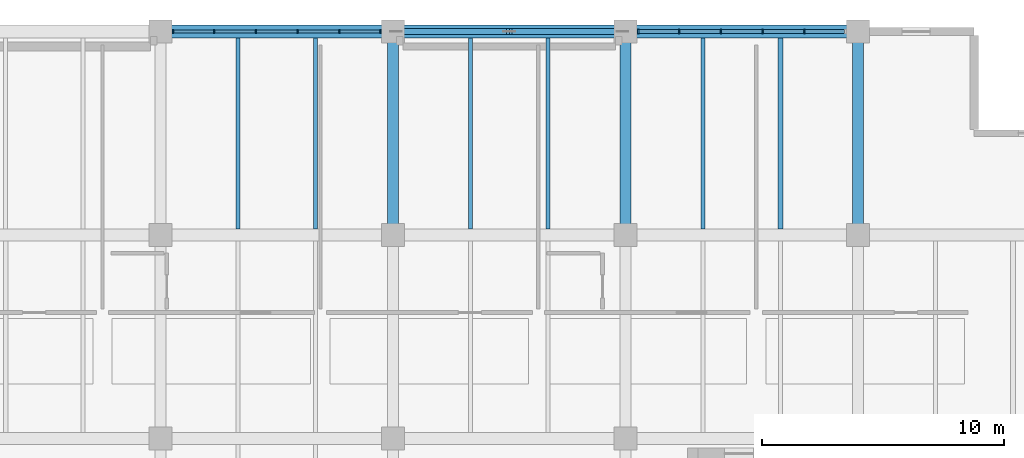
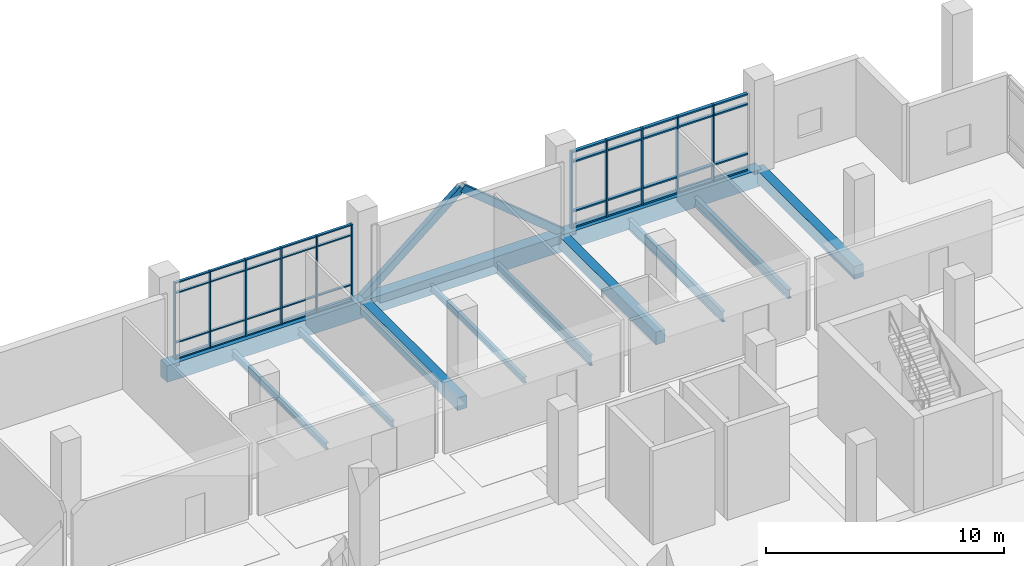
# One storey, part 83 of 152: 53 members, 12 beams, 2 elements without a shape of their own.
"""IFC4 building model written with IfcOpenShell, lengths in metres."""

from ifc_helpers import new_model, si_unit, direction, frame, origin, origin_2d, place, context, subcontext, project, spatial, rectangle, hollow_rectangle, i_section, extrude, material, material_profile, profile_set, type_object, element, aggregate, save


model = new_model("IFC4")

# Units and contexts
model_context = context("Model", 3, precision=1e-05, world=origin(), true_north=direction((0.0, 1.0)))
body_context = subcontext(model_context, "Body", "Model", "MODEL_VIEW")
ifc_project = project(units=[si_unit("LENGTHUNIT", "METRE"), si_unit("AREAUNIT", "SQUARE_METRE"), si_unit("VOLUMEUNIT", "CUBIC_METRE"), si_unit("PLANEANGLEUNIT", "RADIAN"), si_unit("MASSUNIT", "GRAM", prefix="KILO")], contexts=[model_context])

# Site, building, storey
site_placement = place(None, origin())
site = spatial("IfcSite", under=ifc_project, at=site_placement, CompositionType="ELEMENT")
building_placement = place(site_placement, origin())
building = spatial("IfcBuilding", under=site, at=building_placement, Name="Oolite Switchyard Hospital", CompositionType="ELEMENT")
storey_placement = place(building_placement, frame((0.0, 0.0, 5.10009765625)))
storey = spatial("IfcBuildingStorey", under=building, at=storey_placement, Name="L01", CompositionType="ELEMENT", Elevation=5.10009765625)

# Beams
ifc_material_1 = material(Name="Concrete C40/50", Category="concrete")
ifc_material_profile_1 = material_profile(ifc_material_1, rectangle(XDim=0.449951171875, YDim=0.64990234375, at=origin_2d()), Name="RCB450X650")
ifc_profile_set_1 = profile_set([ifc_material_profile_1], Name="Concrete C40/50")
beam_type_1 = type_object("IfcBeamType", Name="BM-RC450X650", PredefinedType="BEAM", material=ifc_profile_set_1)
for number, where, z_axis, x_axis, name in (
    (1, (182.39990234375, 126.0, -0.3251953125), (0.0, 1.0, 0.0), (-1.0, 0.0, 0.0), "L01 Y-Girder 522"),
    (2, (192.0, 126.0, -0.3251953125), (0.0, 1.0, 0.0), (-1.0, 0.0, 0.0), "L01 Y-Girder 534"),
    (3, (201.60009765625, 126.0, -0.3251953125), (0.0, 1.0, 0.0), (-1.0, 0.0, 0.0), "L01 Y-Girder 546"),
):
    element("IfcBeam", number, at=place(storey_placement, frame(where, z_axis=z_axis, x_axis=x_axis)), inside=storey, type_object=beam_type_1, Name=name, PredefinedType="BEAM", context=body_context, shape_type="SweptSolid", body=[
        extrude(rectangle(XDim=0.449951171875, YDim=0.64990234375, at=origin_2d()), origin(), (0.0, 0.0, 1.0), 8.39990234375),
    ])
ifc_material_profile_2 = material_profile(ifc_material_1, rectangle(XDim=0.550048828125, YDim=0.85009765625, at=origin_2d()), Name="RCB550X850")
ifc_profile_set_2 = profile_set([ifc_material_profile_2], Name="Concrete C40/50")
beam_type_2 = type_object("IfcBeamType", Name="BM-RC550X850", PredefinedType="BEAM", material=ifc_profile_set_2)
beam_1_placement = place(storey_placement, frame((172.800048828125, 134.39990234375, -0.425048828125), z_axis=(1.0, 0.0, 0.0), x_axis=(0.0, 1.0, 0.0)))
element("IfcBeam", 4, at=beam_1_placement, inside=storey, type_object=beam_type_2, Name="L01 X-Girder 282", PredefinedType="BEAM", context=body_context, shape_type="SweptSolid", body=[
    extrude(rectangle(XDim=0.550048828125, YDim=0.85009765625, at=origin_2d()), origin(), (0.0, 0.0, 1.0), 9.599853515625),
])
for number, where, z_axis, x_axis, name in (
    (5, (182.39990234375, 134.39990234375, -0.425048828125), (1.0, 0.0, 0.0), (0.0, 1.0, 0.0), "L01 X-Girder 283"),
    (6, (192.0, 134.39990234375, -0.425048828125), (1.0, 0.0, 0.0), (0.0, 1.0, 0.0), "L01 X-Girder 284"),
):
    element("IfcBeam", number, at=place(storey_placement, frame(where, z_axis=z_axis, x_axis=x_axis)), inside=storey, type_object=beam_type_2, Name=name, PredefinedType="BEAM", context=body_context, shape_type="SweptSolid", body=[
        extrude(rectangle(XDim=0.550048828125, YDim=0.85009765625, at=origin_2d()), origin(), (0.0, 0.0, 1.0), 9.60009765625),
    ])
ifc_material_2 = material(Name="Steel ASTM A992 Grade 50", Category="steel")
ifc_material_profile_3 = material_profile(ifc_material_2, i_section(OverallWidth=0.1650390625, OverallDepth=0.31005859375, WebThickness=0.006103515625, FlangeThickness=0.010009765625, at=origin_2d()), Name="W12X26")
ifc_profile_set_3 = profile_set([ifc_material_profile_3], Name="Steel ASTM A992 Grade 50")
beam_type_3 = type_object("IfcBeamType", Name="BM-W12X26", PredefinedType="JOIST", material=ifc_profile_set_3)
for number, where, z_axis, x_axis, name in (
    (7, (179.199951171875, 126.25, -0.43017578125), (0.0, 1.0, 0.0), (-1.0, 0.0, 0.0), "L01 Secondary Steel Joist 927"),
    (8, (185.60009765625, 126.25, -0.43017578125), (0.0, 1.0, 0.0), (-1.0, 0.0, 0.0), "L01 Secondary Steel Joist 948"),
):
    element("IfcBeam", number, at=place(storey_placement, frame(where, z_axis=z_axis, x_axis=x_axis)), inside=storey, type_object=beam_type_3, Name=name, PredefinedType="JOIST", context=body_context, shape_type="SweptSolid", body=[
        extrude(i_section(OverallWidth=0.1650390625, OverallDepth=0.31005859375, WebThickness=0.006103515625, FlangeThickness=0.010009765625, at=origin_2d()), origin(), (0.0, 0.0, 1.0), 7.875),
    ])
ifc_material_profile_4 = material_profile(ifc_material_2, i_section(OverallWidth=0.1708984375, OverallDepth=0.35107421875, WebThickness=0.007080078125, FlangeThickness=0.010009765625, at=origin_2d()), Name="W14X30")
ifc_profile_set_4 = profile_set([ifc_material_profile_4], Name="Steel ASTM A992 Grade 50")
beam_type_4 = type_object("IfcBeamType", Name="BM-W14X30", PredefinedType="JOIST", material=ifc_profile_set_4)
beam_2_placement = place(storey_placement, frame((176.0, 126.25, -0.4501953125), z_axis=(0.0, 1.0, 0.0), x_axis=(-1.0, 0.0, 0.0)))
element("IfcBeam", 9, at=beam_2_placement, inside=storey, type_object=beam_type_4, Name="L01 Secondary Steel Joist 926", PredefinedType="JOIST", context=body_context, shape_type="SweptSolid", body=[
    extrude(i_section(OverallWidth=0.1708984375, OverallDepth=0.35107421875, WebThickness=0.007080078125, FlangeThickness=0.010009765625, at=origin_2d()), origin(), (0.0, 0.0, 1.0), 7.875),
])
ifc_material_profile_5 = material_profile(ifc_material_2, i_section(OverallWidth=0.19091796875, OverallDepth=0.4599609375, WebThickness=0.010009765625, FlangeThickness=0.01611328125, at=origin_2d()), Name="W18X55")
ifc_profile_set_5 = profile_set([ifc_material_profile_5], Name="Steel ASTM A992 Grade 50")
beam_type_5 = type_object("IfcBeamType", Name="BM-W18X55", PredefinedType="JOIST", material=ifc_profile_set_5)
beam_3_placement = place(storey_placement, frame((198.39990234375, 126.25, -0.505126953125), z_axis=(0.0, 1.0, 0.0), x_axis=(-1.0, 0.0, 0.0)))
element("IfcBeam", 10, at=beam_3_placement, inside=storey, type_object=beam_type_5, Name="L01 Secondary Steel Joist 971", PredefinedType="JOIST", context=body_context, shape_type="SweptSolid", body=[
    extrude(i_section(OverallWidth=0.19091796875, OverallDepth=0.4599609375, WebThickness=0.010009765625, FlangeThickness=0.01611328125, at=origin_2d()), origin(), (0.0, 0.0, 1.0), 7.875),
])
ifc_material_profile_6 = material_profile(ifc_material_2, i_section(OverallWidth=0.166015625, OverallDepth=0.529052734375, WebThickness=0.010009765625, FlangeThickness=0.013916015625, at=origin_2d()), Name="W21X50")
ifc_profile_set_6 = profile_set([ifc_material_profile_6], Name="Steel ASTM A992 Grade 50")
beam_type_6 = type_object("IfcBeamType", Name="BM-W21X50", PredefinedType="JOIST", material=ifc_profile_set_6)
for number, where, z_axis, x_axis, name in (
    (11, (188.800048828125, 126.25, -0.5400390625), (0.0, 1.0, 0.0), (-1.0, 0.0, 0.0), "L01 Secondary Steel Joist 949"),
    (12, (195.199951171875, 126.25, -0.5400390625), (0.0, 1.0, 0.0), (-1.0, 0.0, 0.0), "L01 Secondary Steel Joist 970"),
):
    element("IfcBeam", number, at=place(storey_placement, frame(where, z_axis=z_axis, x_axis=x_axis)), inside=storey, type_object=beam_type_6, Name=name, PredefinedType="JOIST", context=body_context, shape_type="SweptSolid", body=[
        extrude(i_section(OverallWidth=0.166015625, OverallDepth=0.529052734375, WebThickness=0.010009765625, FlangeThickness=0.013916015625, at=origin_2d()), origin(), (0.0, 0.0, 1.0), 7.875),
    ])

# Curtain wall, members
ifc_material_3 = material(Name="Thermally broken aluminum frame with laminated impact glazing", Category="aluminium")
curtain_wall_type = type_object("IfcCurtainWallType", Name="CW-UNIT-96X48", PredefinedType="USERDEFINED", material=ifc_material_3)
curtain_wall_1_placement = place(storey_placement, origin())
curtain_wall_1 = element("IfcCurtainWall", 13, at=curtain_wall_1_placement, inside=storey, type_object=curtain_wall_type, Name="L01 Unitised Curtain Wall 158", ObjectType="UNITISED", PredefinedType="USERDEFINED")
ifc_material_4 = material(Name="Aluminium 6063-T6", Category="aluminium")
ifc_material_profile_7 = material_profile(ifc_material_4, rectangle(XDim=0.159912109375, YDim=0.06005859375, at=origin_2d()), Name="CWM60X160")
ifc_profile_set_7 = profile_set([ifc_material_profile_7], Name="Aluminium 6063-T6")
member_type_1 = type_object("IfcMemberType", Name="CW-MUL-180", PredefinedType="MULLION", material=ifc_profile_set_7)
member_1_placement = place(storey_placement, frame((173.320068359375, 134.39990234375, 0.0), z_axis=(0.0, 0.0, 1.0), x_axis=(0.0, 1.0, 0.0)))
member_1 = element("IfcMember", 14, at=member_1_placement, type_object=member_type_1, Name="CW-02 mullion 1", PredefinedType="MULLION", context=body_context, shape_type="SweptSolid", body=[
    extrude(rectangle(XDim=0.159912109375, YDim=0.06005859375, at=origin_2d()), origin(), (0.0, 0.0, 1.0), 3.93994140625),
])
member_2_placement = place(storey_placement, frame((175.013916015625, 134.39990234375, 0.0), z_axis=(0.0, 0.0, 1.0), x_axis=(0.0, 1.0, 0.0)))
member_2 = element("IfcMember", 15, at=member_2_placement, type_object=member_type_1, Name="CW-02 mullion 2", PredefinedType="MULLION", context=body_context, shape_type="SweptSolid", body=[
    extrude(rectangle(XDim=0.159912109375, YDim=0.06005859375, at=origin_2d()), origin(), (0.0, 0.0, 1.0), 3.93994140625),
])
member_3_placement = place(storey_placement, frame((176.738037109375, 134.39990234375, 0.0), z_axis=(0.0, 0.0, 1.0), x_axis=(0.0, 1.0, 0.0)))
member_3 = element("IfcMember", 16, at=member_3_placement, type_object=member_type_1, Name="CW-02 mullion 3", PredefinedType="MULLION", context=body_context, shape_type="SweptSolid", body=[
    extrude(rectangle(XDim=0.159912109375, YDim=0.06005859375, at=origin_2d()), origin(), (0.0, 0.0, 1.0), 3.93994140625),
])
member_4_placement = place(storey_placement, frame((178.4619140625, 134.39990234375, 0.0), z_axis=(0.0, 0.0, 1.0), x_axis=(0.0, 1.0, 0.0)))
member_4 = element("IfcMember", 17, at=member_4_placement, type_object=member_type_1, Name="CW-02 mullion 4", PredefinedType="MULLION", context=body_context, shape_type="SweptSolid", body=[
    extrude(rectangle(XDim=0.159912109375, YDim=0.06005859375, at=origin_2d()), origin(), (0.0, 0.0, 1.0), 3.93994140625),
])
member_5_placement = place(storey_placement, frame((180.18603515625, 134.39990234375, 0.0), z_axis=(0.0, 0.0, 1.0), x_axis=(0.0, 1.0, 0.0)))
member_5 = element("IfcMember", 18, at=member_5_placement, type_object=member_type_1, Name="CW-02 mullion 5", PredefinedType="MULLION", context=body_context, shape_type="SweptSolid", body=[
    extrude(rectangle(XDim=0.159912109375, YDim=0.06005859375, at=origin_2d()), origin(), (0.0, 0.0, 1.0), 3.93994140625),
])
member_6_placement = place(storey_placement, frame((181.8798828125, 134.39990234375, 0.0), z_axis=(0.0, 0.0, 1.0), x_axis=(0.0, 1.0, 0.0)))
member_6 = element("IfcMember", 19, at=member_6_placement, type_object=member_type_1, Name="CW-02 mullion 6", PredefinedType="MULLION", context=body_context, shape_type="SweptSolid", body=[
    extrude(rectangle(XDim=0.159912109375, YDim=0.06005859375, at=origin_2d()), origin(), (0.0, 0.0, 1.0), 3.93994140625),
])

curtain_wall_2_placement = place(storey_placement, origin())
curtain_wall_2 = element("IfcCurtainWall", 20, at=curtain_wall_2_placement, inside=storey, type_object=curtain_wall_type, Name="L01 Unitised Curtain Wall 159", ObjectType="UNITISED", PredefinedType="USERDEFINED")
ifc_material_profile_8 = material_profile(ifc_material_4, rectangle(XDim=0.179931640625, YDim=0.070068359375, at=origin_2d()), Name="CWM70X180")
ifc_profile_set_8 = profile_set([ifc_material_profile_8], Name="Aluminium 6063-T6")
member_type_2 = type_object("IfcMemberType", Name="CW-MUL-220", PredefinedType="MULLION", material=ifc_profile_set_8)
member_7_placement = place(storey_placement, frame((192.52490234375, 134.39990234375, 0.0), z_axis=(0.0, 0.0, 1.0), x_axis=(0.0, 1.0, 0.0)))
member_7 = element("IfcMember", 21, at=member_7_placement, type_object=member_type_2, Name="CW-02 mullion 1", PredefinedType="MULLION", context=body_context, shape_type="SweptSolid", body=[
    extrude(rectangle(XDim=0.179931640625, YDim=0.070068359375, at=origin_2d()), origin(), (0.0, 0.0, 1.0), 3.93994140625),
])
member_8_placement = place(storey_placement, frame((194.214111328125, 134.39990234375, 0.0), z_axis=(0.0, 0.0, 1.0), x_axis=(0.0, 1.0, 0.0)))
member_8 = element("IfcMember", 22, at=member_8_placement, type_object=member_type_2, Name="CW-02 mullion 2", PredefinedType="MULLION", context=body_context, shape_type="SweptSolid", body=[
    extrude(rectangle(XDim=0.179931640625, YDim=0.070068359375, at=origin_2d()), origin(), (0.0, 0.0, 1.0), 3.93994140625),
])
member_9_placement = place(storey_placement, frame((195.93798828125, 134.39990234375, 0.0), z_axis=(0.0, 0.0, 1.0), x_axis=(0.0, 1.0, 0.0)))
member_9 = element("IfcMember", 23, at=member_9_placement, type_object=member_type_2, Name="CW-02 mullion 3", PredefinedType="MULLION", context=body_context, shape_type="SweptSolid", body=[
    extrude(rectangle(XDim=0.179931640625, YDim=0.070068359375, at=origin_2d()), origin(), (0.0, 0.0, 1.0), 3.93994140625),
])
member_10_placement = place(storey_placement, frame((197.662109375, 134.39990234375, 0.0), z_axis=(0.0, 0.0, 1.0), x_axis=(0.0, 1.0, 0.0)))
member_10 = element("IfcMember", 24, at=member_10_placement, type_object=member_type_2, Name="CW-02 mullion 4", PredefinedType="MULLION", context=body_context, shape_type="SweptSolid", body=[
    extrude(rectangle(XDim=0.179931640625, YDim=0.070068359375, at=origin_2d()), origin(), (0.0, 0.0, 1.0), 3.93994140625),
])
member_11_placement = place(storey_placement, frame((199.385986328125, 134.39990234375, 0.0), z_axis=(0.0, 0.0, 1.0), x_axis=(0.0, 1.0, 0.0)))
member_11 = element("IfcMember", 25, at=member_11_placement, type_object=member_type_2, Name="CW-02 mullion 5", PredefinedType="MULLION", context=body_context, shape_type="SweptSolid", body=[
    extrude(rectangle(XDim=0.179931640625, YDim=0.070068359375, at=origin_2d()), origin(), (0.0, 0.0, 1.0), 3.93994140625),
])

# Member
ifc_material_profile_9 = material_profile(ifc_material_4, rectangle(XDim=0.1201171875, YDim=0.06005859375, at=origin_2d()), Name="CWT60X120")
ifc_profile_set_9 = profile_set([ifc_material_profile_9], Name="Aluminium 6063-T6")
member_type_3 = type_object("IfcMemberType", Name="CW-TRN-150", PredefinedType="USERDEFINED", material=ifc_profile_set_9)
member_12_placement = place(storey_placement, frame((173.35009765625, 134.39990234375, 0.02978515625), z_axis=(1.0, 0.0, 0.0), x_axis=(0.0, 1.0, 0.0)))
member_12 = element("IfcMember", 26, at=member_12_placement, type_object=member_type_3, Name="CW-02 transom 1.1", ObjectType="TRANSOM", PredefinedType="USERDEFINED", context=body_context, shape_type="SweptSolid", body=[
    extrude(rectangle(XDim=0.1201171875, YDim=0.06005859375, at=origin_2d()), origin(), (0.0, 0.0, 1.0), 1.6337890625),
])

member_13_placement = place(storey_placement, frame((173.35009765625, 134.39990234375, 0.849853515625), z_axis=(1.0, 0.0, 0.0), x_axis=(0.0, 1.0, 0.0)))
member_13 = element("IfcMember", 27, at=member_13_placement, type_object=member_type_3, Name="CW-02 transom 1.2", ObjectType="TRANSOM", PredefinedType="USERDEFINED", context=body_context, shape_type="SweptSolid", body=[
    extrude(rectangle(XDim=0.1201171875, YDim=0.06005859375, at=origin_2d()), origin(), (0.0, 0.0, 1.0), 1.6337890625),
])

member_14_placement = place(storey_placement, frame((173.35009765625, 134.39990234375, 3.389892578125), z_axis=(1.0, 0.0, 0.0), x_axis=(0.0, 1.0, 0.0)))
member_14 = element("IfcMember", 28, at=member_14_placement, type_object=member_type_3, Name="CW-02 transom 1.3", ObjectType="TRANSOM", PredefinedType="USERDEFINED", context=body_context, shape_type="SweptSolid", body=[
    extrude(rectangle(XDim=0.1201171875, YDim=0.06005859375, at=origin_2d()), origin(), (0.0, 0.0, 1.0), 1.6337890625),
])

member_15_placement = place(storey_placement, frame((173.35009765625, 134.39990234375, 3.909912109375), z_axis=(1.0, 0.0, 0.0), x_axis=(0.0, 1.0, 0.0)))
member_15 = element("IfcMember", 29, at=member_15_placement, type_object=member_type_3, Name="CW-02 transom 1.4", ObjectType="TRANSOM", PredefinedType="USERDEFINED", context=body_context, shape_type="SweptSolid", body=[
    extrude(rectangle(XDim=0.1201171875, YDim=0.06005859375, at=origin_2d()), origin(), (0.0, 0.0, 1.0), 1.6337890625),
])

member_16_placement = place(storey_placement, frame((175.0439453125, 134.39990234375, 0.02978515625), z_axis=(1.0, 0.0, 0.0), x_axis=(0.0, 1.0, 0.0)))
member_16 = element("IfcMember", 30, at=member_16_placement, type_object=member_type_3, Name="CW-02 transom 2.1", ObjectType="TRANSOM", PredefinedType="USERDEFINED", context=body_context, shape_type="SweptSolid", body=[
    extrude(rectangle(XDim=0.1201171875, YDim=0.06005859375, at=origin_2d()), origin(), (0.0, 0.0, 1.0), 1.6640625),
])

member_17_placement = place(storey_placement, frame((175.0439453125, 134.39990234375, 0.849853515625), z_axis=(1.0, 0.0, 0.0), x_axis=(0.0, 1.0, 0.0)))
member_17 = element("IfcMember", 31, at=member_17_placement, type_object=member_type_3, Name="CW-02 transom 2.2", ObjectType="TRANSOM", PredefinedType="USERDEFINED", context=body_context, shape_type="SweptSolid", body=[
    extrude(rectangle(XDim=0.1201171875, YDim=0.06005859375, at=origin_2d()), origin(), (0.0, 0.0, 1.0), 1.6640625),
])

member_18_placement = place(storey_placement, frame((175.0439453125, 134.39990234375, 3.389892578125), z_axis=(1.0, 0.0, 0.0), x_axis=(0.0, 1.0, 0.0)))
member_18 = element("IfcMember", 32, at=member_18_placement, type_object=member_type_3, Name="CW-02 transom 2.3", ObjectType="TRANSOM", PredefinedType="USERDEFINED", context=body_context, shape_type="SweptSolid", body=[
    extrude(rectangle(XDim=0.1201171875, YDim=0.06005859375, at=origin_2d()), origin(), (0.0, 0.0, 1.0), 1.6640625),
])

member_19_placement = place(storey_placement, frame((175.0439453125, 134.39990234375, 3.909912109375), z_axis=(1.0, 0.0, 0.0), x_axis=(0.0, 1.0, 0.0)))
member_19 = element("IfcMember", 33, at=member_19_placement, type_object=member_type_3, Name="CW-02 transom 2.4", ObjectType="TRANSOM", PredefinedType="USERDEFINED", context=body_context, shape_type="SweptSolid", body=[
    extrude(rectangle(XDim=0.1201171875, YDim=0.06005859375, at=origin_2d()), origin(), (0.0, 0.0, 1.0), 1.6640625),
])

member_20_placement = place(storey_placement, frame((176.76806640625, 134.39990234375, 0.02978515625), z_axis=(1.0, 0.0, 0.0), x_axis=(0.0, 1.0, 0.0)))
member_20 = element("IfcMember", 34, at=member_20_placement, type_object=member_type_3, Name="CW-02 transom 3.1", ObjectType="TRANSOM", PredefinedType="USERDEFINED", context=body_context, shape_type="SweptSolid", body=[
    extrude(rectangle(XDim=0.1201171875, YDim=0.06005859375, at=origin_2d()), origin(), (0.0, 0.0, 1.0), 1.663818359375),
])

member_21_placement = place(storey_placement, frame((176.76806640625, 134.39990234375, 0.849853515625), z_axis=(1.0, 0.0, 0.0), x_axis=(0.0, 1.0, 0.0)))
member_21 = element("IfcMember", 35, at=member_21_placement, type_object=member_type_3, Name="CW-02 transom 3.2", ObjectType="TRANSOM", PredefinedType="USERDEFINED", context=body_context, shape_type="SweptSolid", body=[
    extrude(rectangle(XDim=0.1201171875, YDim=0.06005859375, at=origin_2d()), origin(), (0.0, 0.0, 1.0), 1.663818359375),
])

member_22_placement = place(storey_placement, frame((176.76806640625, 134.39990234375, 3.389892578125), z_axis=(1.0, 0.0, 0.0), x_axis=(0.0, 1.0, 0.0)))
member_22 = element("IfcMember", 36, at=member_22_placement, type_object=member_type_3, Name="CW-02 transom 3.3", ObjectType="TRANSOM", PredefinedType="USERDEFINED", context=body_context, shape_type="SweptSolid", body=[
    extrude(rectangle(XDim=0.1201171875, YDim=0.06005859375, at=origin_2d()), origin(), (0.0, 0.0, 1.0), 1.663818359375),
])

member_23_placement = place(storey_placement, frame((176.76806640625, 134.39990234375, 3.909912109375), z_axis=(1.0, 0.0, 0.0), x_axis=(0.0, 1.0, 0.0)))
member_23 = element("IfcMember", 37, at=member_23_placement, type_object=member_type_3, Name="CW-02 transom 3.4", ObjectType="TRANSOM", PredefinedType="USERDEFINED", context=body_context, shape_type="SweptSolid", body=[
    extrude(rectangle(XDim=0.1201171875, YDim=0.06005859375, at=origin_2d()), origin(), (0.0, 0.0, 1.0), 1.663818359375),
])

member_24_placement = place(storey_placement, frame((178.491943359375, 134.39990234375, 0.02978515625), z_axis=(1.0, 0.0, 0.0), x_axis=(0.0, 1.0, 0.0)))
member_24 = element("IfcMember", 38, at=member_24_placement, type_object=member_type_3, Name="CW-02 transom 4.1", ObjectType="TRANSOM", PredefinedType="USERDEFINED", context=body_context, shape_type="SweptSolid", body=[
    extrude(rectangle(XDim=0.1201171875, YDim=0.06005859375, at=origin_2d()), origin(), (0.0, 0.0, 1.0), 1.6640625),
])

member_25_placement = place(storey_placement, frame((178.491943359375, 134.39990234375, 0.849853515625), z_axis=(1.0, 0.0, 0.0), x_axis=(0.0, 1.0, 0.0)))
member_25 = element("IfcMember", 39, at=member_25_placement, type_object=member_type_3, Name="CW-02 transom 4.2", ObjectType="TRANSOM", PredefinedType="USERDEFINED", context=body_context, shape_type="SweptSolid", body=[
    extrude(rectangle(XDim=0.1201171875, YDim=0.06005859375, at=origin_2d()), origin(), (0.0, 0.0, 1.0), 1.6640625),
])

member_26_placement = place(storey_placement, frame((178.491943359375, 134.39990234375, 3.389892578125), z_axis=(1.0, 0.0, 0.0), x_axis=(0.0, 1.0, 0.0)))
member_26 = element("IfcMember", 40, at=member_26_placement, type_object=member_type_3, Name="CW-02 transom 4.3", ObjectType="TRANSOM", PredefinedType="USERDEFINED", context=body_context, shape_type="SweptSolid", body=[
    extrude(rectangle(XDim=0.1201171875, YDim=0.06005859375, at=origin_2d()), origin(), (0.0, 0.0, 1.0), 1.6640625),
])

member_27_placement = place(storey_placement, frame((178.491943359375, 134.39990234375, 3.909912109375), z_axis=(1.0, 0.0, 0.0), x_axis=(0.0, 1.0, 0.0)))
member_27 = element("IfcMember", 41, at=member_27_placement, type_object=member_type_3, Name="CW-02 transom 4.4", ObjectType="TRANSOM", PredefinedType="USERDEFINED", context=body_context, shape_type="SweptSolid", body=[
    extrude(rectangle(XDim=0.1201171875, YDim=0.06005859375, at=origin_2d()), origin(), (0.0, 0.0, 1.0), 1.6640625),
])

member_28_placement = place(storey_placement, frame((180.216064453125, 134.39990234375, 0.02978515625), z_axis=(1.0, 0.0, 0.0), x_axis=(0.0, 1.0, 0.0)))
member_28 = element("IfcMember", 42, at=member_28_placement, type_object=member_type_3, Name="CW-02 transom 5.1", ObjectType="TRANSOM", PredefinedType="USERDEFINED", context=body_context, shape_type="SweptSolid", body=[
    extrude(rectangle(XDim=0.1201171875, YDim=0.06005859375, at=origin_2d()), origin(), (0.0, 0.0, 1.0), 1.634033203125),
])

member_29_placement = place(storey_placement, frame((180.216064453125, 134.39990234375, 0.849853515625), z_axis=(1.0, 0.0, 0.0), x_axis=(0.0, 1.0, 0.0)))
member_29 = element("IfcMember", 43, at=member_29_placement, type_object=member_type_3, Name="CW-02 transom 5.2", ObjectType="TRANSOM", PredefinedType="USERDEFINED", context=body_context, shape_type="SweptSolid", body=[
    extrude(rectangle(XDim=0.1201171875, YDim=0.06005859375, at=origin_2d()), origin(), (0.0, 0.0, 1.0), 1.634033203125),
])

member_30_placement = place(storey_placement, frame((180.216064453125, 134.39990234375, 3.389892578125), z_axis=(1.0, 0.0, 0.0), x_axis=(0.0, 1.0, 0.0)))
member_30 = element("IfcMember", 44, at=member_30_placement, type_object=member_type_3, Name="CW-02 transom 5.3", ObjectType="TRANSOM", PredefinedType="USERDEFINED", context=body_context, shape_type="SweptSolid", body=[
    extrude(rectangle(XDim=0.1201171875, YDim=0.06005859375, at=origin_2d()), origin(), (0.0, 0.0, 1.0), 1.634033203125),
])

member_31_placement = place(storey_placement, frame((180.216064453125, 134.39990234375, 3.909912109375), z_axis=(1.0, 0.0, 0.0), x_axis=(0.0, 1.0, 0.0)))
member_31 = element("IfcMember", 45, at=member_31_placement, type_object=member_type_3, Name="CW-02 transom 5.4", ObjectType="TRANSOM", PredefinedType="USERDEFINED", context=body_context, shape_type="SweptSolid", body=[
    extrude(rectangle(XDim=0.1201171875, YDim=0.06005859375, at=origin_2d()), origin(), (0.0, 0.0, 1.0), 1.634033203125),
])

aggregate(curtain_wall_1, [member_1, member_2, member_3, member_4, member_5, member_6, member_12, member_13, member_14, member_15, member_16, member_17, member_18, member_19, member_20, member_21, member_22, member_23, member_24, member_25, member_26, member_27, member_28, member_29, member_30, member_31])

ifc_material_profile_10 = material_profile(ifc_material_4, rectangle(XDim=0.159912109375, YDim=0.074951171875, at=origin_2d()), Name="CWT75X160")
ifc_profile_set_10 = profile_set([ifc_material_profile_10], Name="Aluminium 6063-T6")
member_type_4 = type_object("IfcMemberType", Name="CW-TRN-180", PredefinedType="USERDEFINED", material=ifc_profile_set_10)
member_32_placement = place(storey_placement, frame((192.56005859375, 134.39990234375, 0.037353515625), z_axis=(1.0, 0.0, 0.0), x_axis=(0.0, 1.0, 0.0)))
member_32 = element("IfcMember", 46, at=member_32_placement, type_object=member_type_4, Name="CW-02 transom 1.1", ObjectType="TRANSOM", PredefinedType="USERDEFINED", context=body_context, shape_type="SweptSolid", body=[
    extrude(rectangle(XDim=0.159912109375, YDim=0.074951171875, at=origin_2d()), origin(), (0.0, 0.0, 1.0), 1.618896484375),
])

member_33_placement = place(storey_placement, frame((192.56005859375, 134.39990234375, 0.849853515625), z_axis=(1.0, 0.0, 0.0), x_axis=(0.0, 1.0, 0.0)))
member_33 = element("IfcMember", 47, at=member_33_placement, type_object=member_type_4, Name="CW-02 transom 1.2", ObjectType="TRANSOM", PredefinedType="USERDEFINED", context=body_context, shape_type="SweptSolid", body=[
    extrude(rectangle(XDim=0.159912109375, YDim=0.074951171875, at=origin_2d()), origin(), (0.0, 0.0, 1.0), 1.618896484375),
])

member_34_placement = place(storey_placement, frame((192.56005859375, 134.39990234375, 3.389892578125), z_axis=(1.0, 0.0, 0.0), x_axis=(0.0, 1.0, 0.0)))
member_34 = element("IfcMember", 48, at=member_34_placement, type_object=member_type_4, Name="CW-02 transom 1.3", ObjectType="TRANSOM", PredefinedType="USERDEFINED", context=body_context, shape_type="SweptSolid", body=[
    extrude(rectangle(XDim=0.159912109375, YDim=0.074951171875, at=origin_2d()), origin(), (0.0, 0.0, 1.0), 1.618896484375),
])

member_35_placement = place(storey_placement, frame((192.56005859375, 134.39990234375, 3.90234375), z_axis=(1.0, 0.0, 0.0), x_axis=(0.0, 1.0, 0.0)))
member_35 = element("IfcMember", 49, at=member_35_placement, type_object=member_type_4, Name="CW-02 transom 1.4", ObjectType="TRANSOM", PredefinedType="USERDEFINED", context=body_context, shape_type="SweptSolid", body=[
    extrude(rectangle(XDim=0.159912109375, YDim=0.074951171875, at=origin_2d()), origin(), (0.0, 0.0, 1.0), 1.618896484375),
])

member_36_placement = place(storey_placement, frame((194.2490234375, 134.39990234375, 0.037353515625), z_axis=(1.0, 0.0, 0.0), x_axis=(0.0, 1.0, 0.0)))
member_36 = element("IfcMember", 50, at=member_36_placement, type_object=member_type_4, Name="CW-02 transom 2.1", ObjectType="TRANSOM", PredefinedType="USERDEFINED", context=body_context, shape_type="SweptSolid", body=[
    extrude(rectangle(XDim=0.159912109375, YDim=0.074951171875, at=origin_2d()), origin(), (0.0, 0.0, 1.0), 1.654052734375),
])

member_37_placement = place(storey_placement, frame((194.2490234375, 134.39990234375, 0.849853515625), z_axis=(1.0, 0.0, 0.0), x_axis=(0.0, 1.0, 0.0)))
member_37 = element("IfcMember", 51, at=member_37_placement, type_object=member_type_4, Name="CW-02 transom 2.2", ObjectType="TRANSOM", PredefinedType="USERDEFINED", context=body_context, shape_type="SweptSolid", body=[
    extrude(rectangle(XDim=0.159912109375, YDim=0.074951171875, at=origin_2d()), origin(), (0.0, 0.0, 1.0), 1.654052734375),
])

member_38_placement = place(storey_placement, frame((194.2490234375, 134.39990234375, 3.389892578125), z_axis=(1.0, 0.0, 0.0), x_axis=(0.0, 1.0, 0.0)))
member_38 = element("IfcMember", 52, at=member_38_placement, type_object=member_type_4, Name="CW-02 transom 2.3", ObjectType="TRANSOM", PredefinedType="USERDEFINED", context=body_context, shape_type="SweptSolid", body=[
    extrude(rectangle(XDim=0.159912109375, YDim=0.074951171875, at=origin_2d()), origin(), (0.0, 0.0, 1.0), 1.654052734375),
])

member_39_placement = place(storey_placement, frame((194.2490234375, 134.39990234375, 3.90234375), z_axis=(1.0, 0.0, 0.0), x_axis=(0.0, 1.0, 0.0)))
member_39 = element("IfcMember", 53, at=member_39_placement, type_object=member_type_4, Name="CW-02 transom 2.4", ObjectType="TRANSOM", PredefinedType="USERDEFINED", context=body_context, shape_type="SweptSolid", body=[
    extrude(rectangle(XDim=0.159912109375, YDim=0.074951171875, at=origin_2d()), origin(), (0.0, 0.0, 1.0), 1.654052734375),
])

member_40_placement = place(storey_placement, frame((195.972900390625, 134.39990234375, 0.037353515625), z_axis=(1.0, 0.0, 0.0), x_axis=(0.0, 1.0, 0.0)))
member_40 = element("IfcMember", 54, at=member_40_placement, type_object=member_type_4, Name="CW-02 transom 3.1", ObjectType="TRANSOM", PredefinedType="USERDEFINED", context=body_context, shape_type="SweptSolid", body=[
    extrude(rectangle(XDim=0.159912109375, YDim=0.074951171875, at=origin_2d()), origin(), (0.0, 0.0, 1.0), 1.654052734375),
])

member_41_placement = place(storey_placement, frame((195.972900390625, 134.39990234375, 0.849853515625), z_axis=(1.0, 0.0, 0.0), x_axis=(0.0, 1.0, 0.0)))
member_41 = element("IfcMember", 55, at=member_41_placement, type_object=member_type_4, Name="CW-02 transom 3.2", ObjectType="TRANSOM", PredefinedType="USERDEFINED", context=body_context, shape_type="SweptSolid", body=[
    extrude(rectangle(XDim=0.159912109375, YDim=0.074951171875, at=origin_2d()), origin(), (0.0, 0.0, 1.0), 1.654052734375),
])

member_42_placement = place(storey_placement, frame((195.972900390625, 134.39990234375, 3.389892578125), z_axis=(1.0, 0.0, 0.0), x_axis=(0.0, 1.0, 0.0)))
member_42 = element("IfcMember", 56, at=member_42_placement, type_object=member_type_4, Name="CW-02 transom 3.3", ObjectType="TRANSOM", PredefinedType="USERDEFINED", context=body_context, shape_type="SweptSolid", body=[
    extrude(rectangle(XDim=0.159912109375, YDim=0.074951171875, at=origin_2d()), origin(), (0.0, 0.0, 1.0), 1.654052734375),
])

member_43_placement = place(storey_placement, frame((195.972900390625, 134.39990234375, 3.90234375), z_axis=(1.0, 0.0, 0.0), x_axis=(0.0, 1.0, 0.0)))
member_43 = element("IfcMember", 57, at=member_43_placement, type_object=member_type_4, Name="CW-02 transom 3.4", ObjectType="TRANSOM", PredefinedType="USERDEFINED", context=body_context, shape_type="SweptSolid", body=[
    extrude(rectangle(XDim=0.159912109375, YDim=0.074951171875, at=origin_2d()), origin(), (0.0, 0.0, 1.0), 1.654052734375),
])

member_44_placement = place(storey_placement, frame((197.697021484375, 134.39990234375, 0.037353515625), z_axis=(1.0, 0.0, 0.0), x_axis=(0.0, 1.0, 0.0)))
member_44 = element("IfcMember", 58, at=member_44_placement, type_object=member_type_4, Name="CW-02 transom 4.1", ObjectType="TRANSOM", PredefinedType="USERDEFINED", context=body_context, shape_type="SweptSolid", body=[
    extrude(rectangle(XDim=0.159912109375, YDim=0.074951171875, at=origin_2d()), origin(), (0.0, 0.0, 1.0), 1.654052734375),
])

member_45_placement = place(storey_placement, frame((197.697021484375, 134.39990234375, 0.849853515625), z_axis=(1.0, 0.0, 0.0), x_axis=(0.0, 1.0, 0.0)))
member_45 = element("IfcMember", 59, at=member_45_placement, type_object=member_type_4, Name="CW-02 transom 4.2", ObjectType="TRANSOM", PredefinedType="USERDEFINED", context=body_context, shape_type="SweptSolid", body=[
    extrude(rectangle(XDim=0.159912109375, YDim=0.074951171875, at=origin_2d()), origin(), (0.0, 0.0, 1.0), 1.654052734375),
])

member_46_placement = place(storey_placement, frame((197.697021484375, 134.39990234375, 3.389892578125), z_axis=(1.0, 0.0, 0.0), x_axis=(0.0, 1.0, 0.0)))
member_46 = element("IfcMember", 60, at=member_46_placement, type_object=member_type_4, Name="CW-02 transom 4.3", ObjectType="TRANSOM", PredefinedType="USERDEFINED", context=body_context, shape_type="SweptSolid", body=[
    extrude(rectangle(XDim=0.159912109375, YDim=0.074951171875, at=origin_2d()), origin(), (0.0, 0.0, 1.0), 1.654052734375),
])

member_47_placement = place(storey_placement, frame((197.697021484375, 134.39990234375, 3.90234375), z_axis=(1.0, 0.0, 0.0), x_axis=(0.0, 1.0, 0.0)))
member_47 = element("IfcMember", 61, at=member_47_placement, type_object=member_type_4, Name="CW-02 transom 4.4", ObjectType="TRANSOM", PredefinedType="USERDEFINED", context=body_context, shape_type="SweptSolid", body=[
    extrude(rectangle(XDim=0.159912109375, YDim=0.074951171875, at=origin_2d()), origin(), (0.0, 0.0, 1.0), 1.654052734375),
])

member_48_placement = place(storey_placement, frame((199.4208984375, 134.39990234375, 0.037353515625), z_axis=(1.0, 0.0, 0.0), x_axis=(0.0, 1.0, 0.0)))
member_48 = element("IfcMember", 62, at=member_48_placement, type_object=member_type_4, Name="CW-02 transom 5.1", ObjectType="TRANSOM", PredefinedType="USERDEFINED", context=body_context, shape_type="SweptSolid", body=[
    extrude(rectangle(XDim=0.159912109375, YDim=0.074951171875, at=origin_2d()), origin(), (0.0, 0.0, 1.0), 1.619140625),
])

member_49_placement = place(storey_placement, frame((199.4208984375, 134.39990234375, 0.849853515625), z_axis=(1.0, 0.0, 0.0), x_axis=(0.0, 1.0, 0.0)))
member_49 = element("IfcMember", 63, at=member_49_placement, type_object=member_type_4, Name="CW-02 transom 5.2", ObjectType="TRANSOM", PredefinedType="USERDEFINED", context=body_context, shape_type="SweptSolid", body=[
    extrude(rectangle(XDim=0.159912109375, YDim=0.074951171875, at=origin_2d()), origin(), (0.0, 0.0, 1.0), 1.619140625),
])

member_50_placement = place(storey_placement, frame((199.4208984375, 134.39990234375, 3.389892578125), z_axis=(1.0, 0.0, 0.0), x_axis=(0.0, 1.0, 0.0)))
member_50 = element("IfcMember", 64, at=member_50_placement, type_object=member_type_4, Name="CW-02 transom 5.3", ObjectType="TRANSOM", PredefinedType="USERDEFINED", context=body_context, shape_type="SweptSolid", body=[
    extrude(rectangle(XDim=0.159912109375, YDim=0.074951171875, at=origin_2d()), origin(), (0.0, 0.0, 1.0), 1.619140625),
])

member_51_placement = place(storey_placement, frame((199.4208984375, 134.39990234375, 3.90234375), z_axis=(1.0, 0.0, 0.0), x_axis=(0.0, 1.0, 0.0)))
member_51 = element("IfcMember", 65, at=member_51_placement, type_object=member_type_4, Name="CW-02 transom 5.4", ObjectType="TRANSOM", PredefinedType="USERDEFINED", context=body_context, shape_type="SweptSolid", body=[
    extrude(rectangle(XDim=0.159912109375, YDim=0.074951171875, at=origin_2d()), origin(), (0.0, 0.0, 1.0), 1.619140625),
])

aggregate(curtain_wall_2, [member_7, member_8, member_9, member_10, member_11, member_32, member_33, member_34, member_35, member_36, member_37, member_38, member_39, member_40, member_41, member_42, member_43, member_44, member_45, member_46, member_47, member_48, member_49, member_50, member_51])

# Members
ifc_material_5 = material(Name="Steel ASTM A500 Grade C", Category="steel")
ifc_material_profile_11 = material_profile(ifc_material_5, hollow_rectangle(XDim=0.25390625, YDim=0.35595703125, WallThickness=0.012939453125, at=origin_2d()), Name="HSS356X254X13")
ifc_profile_set_11 = profile_set([ifc_material_profile_11], Name="Steel ASTM A500 Grade C")
member_type_5 = type_object("IfcMemberType", Name="MEM-BR-RHS356", PredefinedType="BRACE", material=ifc_profile_set_11)
for number, where, z_axis, x_axis, name in (
    (66, (182.39990234375, 134.39990234375, 0.02001953125), (0.77375035412, 0.0, 0.633490638842), (0.0, 1.0, 0.0), "L01 Chevron Brace 47"),
    (67, (192.0, 134.39990234375, 0.02001953125), (-0.77375035412, 0.0, 0.633490638842), (0.0, -1.0, 0.0), "L01 Chevron Brace 48"),
):
    element("IfcMember", number, at=place(storey_placement, frame(where, z_axis=z_axis, x_axis=x_axis)), inside=storey, type_object=member_type_5, Name=name, PredefinedType="BRACE", context=body_context, shape_type="SweptSolid", body=[
        extrude(hollow_rectangle(XDim=0.25390625, YDim=0.35595703125, WallThickness=0.012939453125, at=origin_2d()), origin(), (0.0, 0.0, 1.0), 6.20361328125),
    ])

save(model, "model.ifc")
